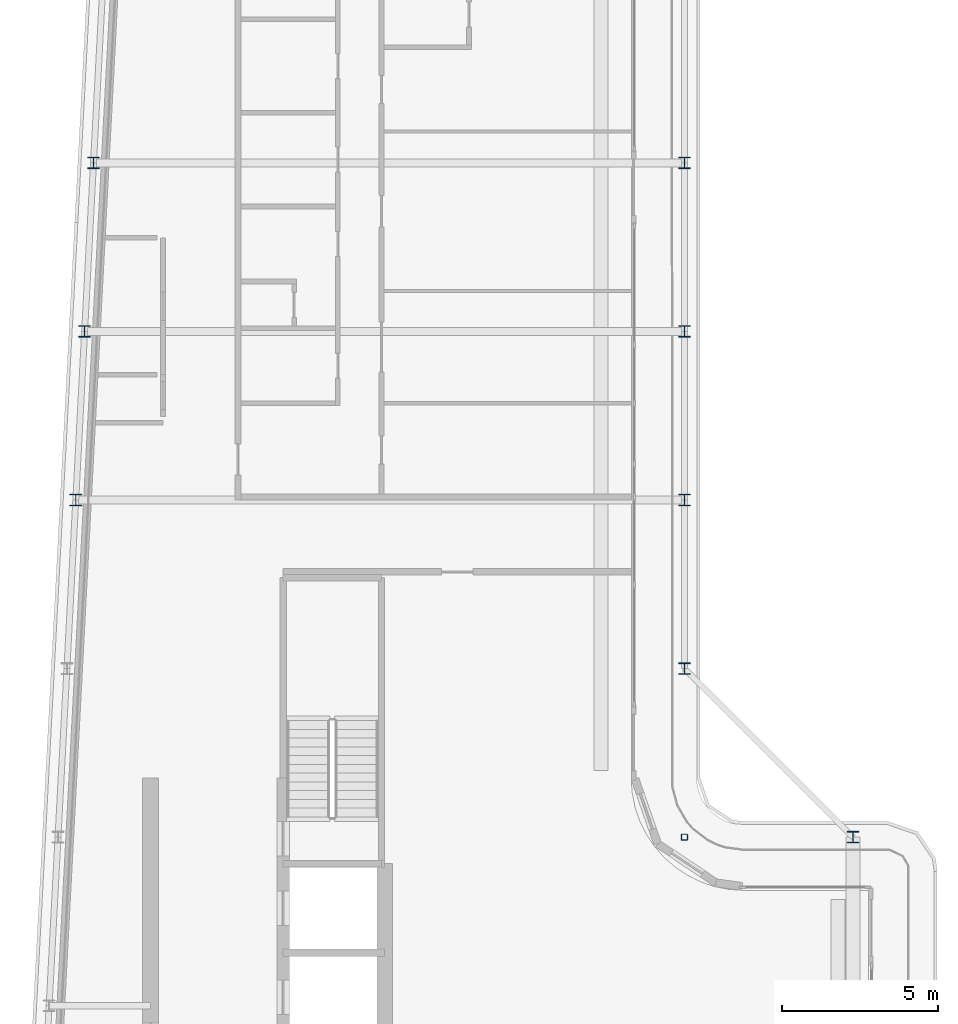
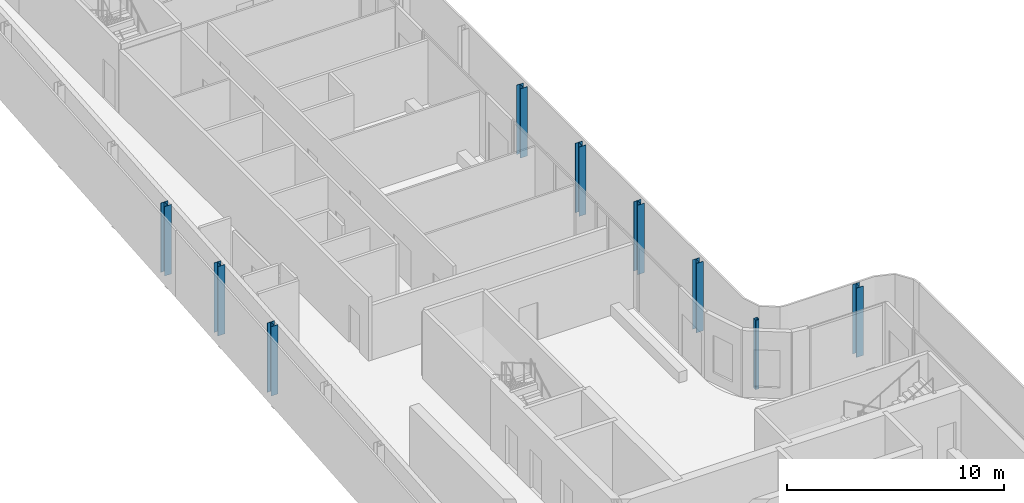
# One storey, part 2 of 18: 9 columns.
"""IFC4 building model written with IfcOpenShell, lengths in metres."""

from ifc_helpers import new_model, si_unit, direction, frame, origin, origin_2d, place, context, subcontext, project, spatial, hollow_rectangle, i_section, extrude, material, material_profile, profile_set, type_object, element, save


model = new_model("IFC4")

# Units and contexts
model_context = context("Model", 3, precision=1e-05, world=origin(), true_north=direction((0.0, 1.0)))
body_context = subcontext(model_context, "Body", "Model", "MODEL_VIEW")
ifc_project = project(units=[si_unit("LENGTHUNIT", "METRE"), si_unit("AREAUNIT", "SQUARE_METRE"), si_unit("VOLUMEUNIT", "CUBIC_METRE"), si_unit("PLANEANGLEUNIT", "RADIAN"), si_unit("MASSUNIT", "GRAM", prefix="KILO")], contexts=[model_context])

# Site, building, storey
site_placement = place(None, origin())
site = spatial("IfcSite", under=ifc_project, at=site_placement, CompositionType="ELEMENT")
building_placement = place(site_placement, origin())
building = spatial("IfcBuilding", under=site, at=building_placement, Name="Kheshtan School and Residences Tower", CompositionType="ELEMENT")
storey_placement = place(building_placement, frame((0.0, 0.0, 385.10009765625)))
storey = spatial("IfcBuildingStorey", under=building, at=storey_placement, Name="L91", CompositionType="ELEMENT", Elevation=385.10009765625)

# Columns
ifc_material_1 = material(Name="Steel ASTM A992 Grade 50", Category="steel")
ifc_material_profile_1 = material_profile(ifc_material_1, i_section(OverallWidth=0.37109375, OverallDepth=0.364013671875, WebThickness=0.01318359375, FlangeThickness=0.021728515625, FilletRadius=0.010986328125, at=origin_2d()), Name="W360x162")
ifc_profile_set_1 = profile_set([ifc_material_profile_1], Name="Steel ASTM A992 Grade 50")
column_type_1 = type_object("IfcColumnType", Name="Column C6 W360x162 ASTM A992 Grade 50", PredefinedType="COLUMN", material=ifc_profile_set_1)
for number, where, z_axis, x_axis, name in (
    (1, (53.0, 45.60009765625, 0.0), (0.0, 0.0, 1.0), (1.0, 0.0, 0.0), "Column C061"),
    (2, (47.60009765625, 51.0, 0.0), (0.0, 0.0, 1.0), (1.0, 0.0, 0.0), "Column C079"),
    (3, (28.10595703125, 56.39990234375, 0.0), (0.0, 0.0, 1.0), (1.0, 0.0, 0.0), "Column C080"),
    (4, (47.60009765625, 56.39990234375, 0.0), (0.0, 0.0, 1.0), (1.0, 0.0, 0.0), "Column C081"),
    (5, (28.389892578125, 61.800048828125, 0.0), (0.0, 0.0, 1.0), (1.0, 0.0, 0.0), "Column C082"),
    (6, (47.60009765625, 61.800048828125, 0.0), (0.0, 0.0, 1.0), (1.0, 0.0, 0.0), "Column C083"),
    (7, (28.674072265625, 67.199951171875, 0.0), (0.0, 0.0, 1.0), (1.0, 0.0, 0.0), "Column C084"),
    (8, (47.60009765625, 67.199951171875, 0.0), (0.0, 0.0, 1.0), (1.0, 0.0, 0.0), "Column C085"),
):
    element("IfcColumn", number, at=place(storey_placement, frame(where, z_axis=z_axis, x_axis=x_axis)), inside=storey, type_object=column_type_1, Name=name, PredefinedType="COLUMN", context=body_context, shape_type="SweptSolid", body=[
        extrude(i_section(OverallWidth=0.37109375, OverallDepth=0.364013671875, WebThickness=0.01318359375, FlangeThickness=0.021728515625, FilletRadius=0.010986328125, at=origin_2d()), origin(), (0.0, 0.0, 1.0), 3.89990234375),
    ])
ifc_material_2 = material(Name="Steel ASTM A500 Grade C", Category="steel")
ifc_material_profile_2 = material_profile(ifc_material_2, hollow_rectangle(XDim=0.202880859375, YDim=0.202880859375, WallThickness=0.0126953125, InnerFilletRadius=0.0126953125, OuterFilletRadius=0.025390625, at=origin_2d()), Name="HSS 203x203x12.7")
ifc_profile_set_2 = profile_set([ifc_material_profile_2], Name="Steel ASTM A500 Grade C")
column_type_2 = type_object("IfcColumnType", Name="Column IC4 HSS 203x203x12.7 ASTM A500 Grade C", PredefinedType="COLUMN", material=ifc_profile_set_2)
column_placement = place(storey_placement, frame((47.60009765625, 45.60009765625, 0.0), z_axis=(0.0, 0.0, 1.0), x_axis=(1.0, 0.0, 0.0)))
element("IfcColumn", 9, at=column_placement, inside=storey, type_object=column_type_2, Name="Column C060", PredefinedType="COLUMN", context=body_context, shape_type="SweptSolid", body=[
    extrude(hollow_rectangle(XDim=0.202880859375, YDim=0.202880859375, WallThickness=0.0126953125, InnerFilletRadius=0.0126953125, OuterFilletRadius=0.025390625, at=origin_2d()), origin(), (0.0, 0.0, 1.0), 3.89990234375),
])

save(model, "model.ifc")
